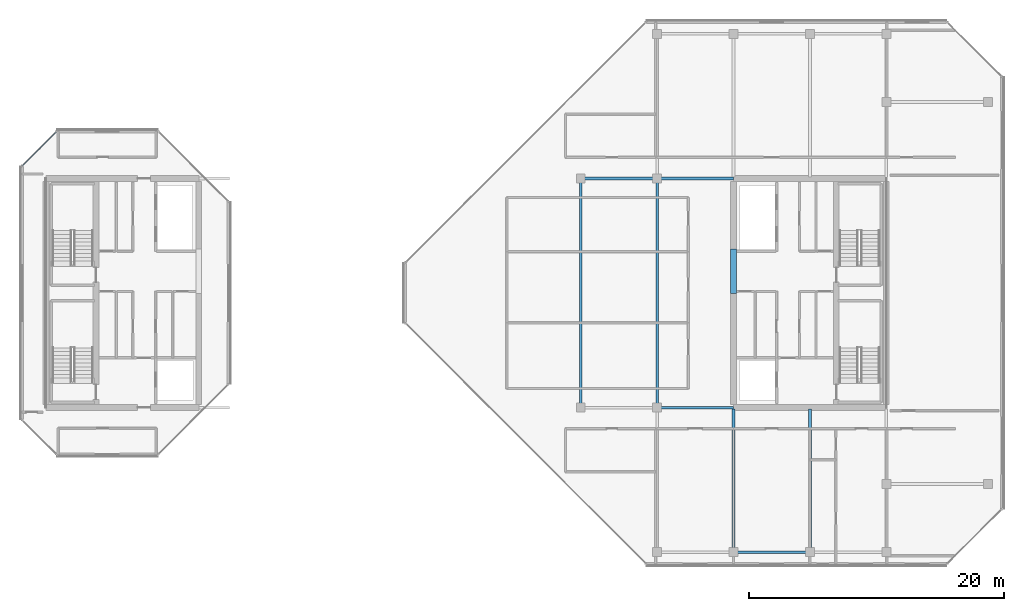
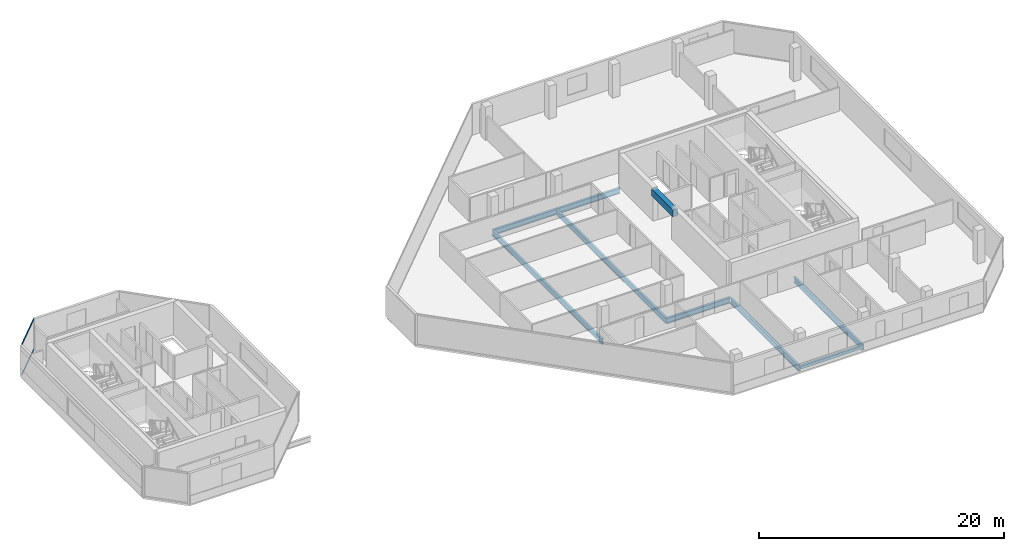
# One storey, part 11 of 29: 9 beams, 2 members, 1 element without a shape of its own.
"""IFC4 building model written with IfcOpenShell, lengths in metres."""

import ifcopenshell
import ifcopenshell.guid

model = None  # the IFC model being written
_history = None  # IfcOwnerHistory: only IFC2X3 demands one
_inside = {}  # id of a spatial element -> (the spatial element, [elements in it])
_under = {}  # id of a project, library or spatial element -> (it, [spatial elements below it])
_declared = {}  # id of a project -> (the project, [libraries it declares])
_typed = {}  # id of a type object -> (the type object, [elements of that type])
_made_of = {}  # id of a material, layer set ... -> (it, [elements and type objects made of it])


def new_model(schema):
    """Start an empty IFC model of exactly this schema.

    Asked for "IFC4X3", IfcOpenShell would pick the latest addendum, in which some entities
    have other attributes; the version numbers below select the first issue.
    IFC2X3 requires an IfcOwnerHistory on every rooted entity: one is made here for all.
    """
    global model, _history
    if schema == "IFC4X3":
        model = ifcopenshell.file(schema_version=(4, 3, 0, 0))
    else:
        model = ifcopenshell.file(schema=schema)
    _inside.clear()
    _under.clear()
    _declared.clear()
    _typed.clear()
    _made_of.clear()
    _history = None
    if model.schema == "IFC2X3":
        org = make("IfcOrganization", Name="unknown")
        user = make(
            "IfcPersonAndOrganization",
            ThePerson=make("IfcPerson", FamilyName="unknown"),
            TheOrganization=org,
        )
        app = make(
            "IfcApplication",
            ApplicationDeveloper=org,
            Version="unknown",
            ApplicationFullName="unknown",
            ApplicationIdentifier="unknown",
        )
        _history = make(
            "IfcOwnerHistory",
            OwningUser=user,
            OwningApplication=app,
            ChangeAction="ADDED",
            CreationDate=0,
        )
    return model


def make(cls, **values):
    """One entity of the class cls with the attributes given. An attribute that is None is left unset."""
    return model.create_entity(
        cls, **{name: value for name, value in values.items() if value is not None}
    )


def rooted(cls, **values):
    """An entity with a GlobalId (a new one), such as an element, a storey or a relation."""
    return make(cls, GlobalId=ifcopenshell.guid.new(), OwnerHistory=_history, **values)


def si_unit(unit_type, name, prefix=None):
    """IfcSIUnit, for example si_unit("LENGTHUNIT", "METRE", prefix="MILLI")."""
    return make("IfcSIUnit", UnitType=unit_type, Prefix=prefix, Name=name)


def assignment(units):
    """IfcUnitAssignment: the units of a project."""
    return None if units is None else make("IfcUnitAssignment", Units=units)


def point(xyz):
    """IfcCartesianPoint."""
    return None if xyz is None else make("IfcCartesianPoint", Coordinates=xyz)


def direction(xyz):
    """IfcDirection."""
    return None if xyz is None else make("IfcDirection", DirectionRatios=xyz)


def frame(location, z_axis=None, x_axis=None):
    """IfcAxis2Placement3D, a coordinate frame: its origin and axes. An axis left out is left unset."""
    return make(
        "IfcAxis2Placement3D",
        Location=point(location),
        Axis=direction(z_axis),
        RefDirection=direction(x_axis),
    )


def frame_2d(location, x_axis=None):
    """IfcAxis2Placement2D, a coordinate frame in the plane: its origin and x axis."""
    return make(
        "IfcAxis2Placement2D", Location=point(location), RefDirection=direction(x_axis)
    )


def origin():
    """The frame at (0, 0, 0) with its axes left unset."""
    return frame((0.0, 0.0, 0.0))


def origin_2d():
    """The frame at (0, 0) in the plane with its x axis left unset."""
    return frame_2d((0.0, 0.0))


def place(relative_to, where):
    """IfcLocalPlacement: puts the frame where relative to a parent placement (None: the world)."""
    return make(
        "IfcLocalPlacement", PlacementRelTo=relative_to, RelativePlacement=where
    )


def context(
    kind, dimensions, precision=None, world=None, true_north=None, identifier=None
):
    """IfcGeometricRepresentationContext, for example the 3D "Model" context."""
    return make(
        "IfcGeometricRepresentationContext",
        ContextIdentifier=identifier,
        ContextType=kind,
        CoordinateSpaceDimension=dimensions,
        Precision=precision,
        WorldCoordinateSystem=world,
        TrueNorth=true_north,
    )


def subcontext(parent, identifier, kind, view, scale=None):
    """IfcGeometricRepresentationSubContext, for example "Body" below "Model"."""
    return make(
        "IfcGeometricRepresentationSubContext",
        ContextIdentifier=identifier,
        ContextType=kind,
        ParentContext=parent,
        TargetScale=scale,
        TargetView=view,
    )


def project(units=None, contexts=None):
    """IfcProject with its units and contexts."""
    return rooted(
        "IfcProject",
        Name="project",
        RepresentationContexts=contexts,
        UnitsInContext=assignment(units),
    )


def spatial(cls, under=None, at=None, **own):
    """A site, building, storey or space (cls), placed at a placement, below another one or the project."""
    s = rooted(cls, ObjectPlacement=at, **own)
    if under is not None:
        _under.setdefault(under.id(), (under, []))[1].append(s)
    return s


def profile(cls, at=None, kind="AREA", **sizes):
    """A parametric profile (cls). Its sizes go by their IFC names, for example OverallWidth=200.0."""
    return make(cls, ProfileType=kind, Position=at, **sizes)


def rectangle(**sizes):
    """IfcRectangleProfileDef."""
    return profile("IfcRectangleProfileDef", **sizes)


def hollow_rectangle(**sizes):
    """IfcRectangleHollowProfileDef."""
    return profile("IfcRectangleHollowProfileDef", **sizes)


def i_section(**sizes):
    """IfcIShapeProfileDef."""
    return profile("IfcIShapeProfileDef", **sizes)


def extrude(swept, where, along, depth):
    """IfcExtrudedAreaSolid: the profile swept, set in the frame where, extruded along a direction by depth."""
    return make(
        "IfcExtrudedAreaSolid",
        SweptArea=swept,
        Position=where,
        ExtrudedDirection=direction(along),
        Depth=depth,
    )


def shape(context_of_items, identifier, shape_type, items):
    """IfcShapeRepresentation: the items that make up one representation, for example the "Body"."""
    return make(
        "IfcShapeRepresentation",
        ContextOfItems=context_of_items,
        RepresentationIdentifier=identifier,
        RepresentationType=shape_type,
        Items=items,
    )


def material(Name=None, Category=None):
    """IfcMaterial."""
    return make("IfcMaterial", Name=Name, Category=Category)


def layer(
    of_material, thickness, ventilated=None, Name=None, Category=None, Priority=None
):
    """IfcMaterialLayer: one layer of a wall or slab, of a material (None: an air gap)."""
    return make(
        "IfcMaterialLayer",
        Material=of_material,
        LayerThickness=thickness,
        IsVentilated=ventilated,
        Name=Name,
        Category=Category,
        Priority=Priority,
    )


def layer_set(layers, Name=None):
    """IfcMaterialLayerSet."""
    return make("IfcMaterialLayerSet", MaterialLayers=layers, LayerSetName=Name)


def material_profile(
    of_material, cross_section, Name=None, Category=None, Priority=None
):
    """IfcMaterialProfile: a cross section and its material."""
    return make(
        "IfcMaterialProfile",
        Name=Name,
        Material=of_material,
        Profile=cross_section,
        Priority=Priority,
        Category=Category,
    )


def profile_set(profiles, Name=None, composite=None):
    """IfcMaterialProfileSet."""
    return make(
        "IfcMaterialProfileSet",
        Name=Name,
        MaterialProfiles=profiles,
        CompositeProfile=composite,
    )


def made_of(thing, what):
    """Note that an element or type object is made of a material, layer set ...; save() writes the relation."""
    if what is not None:
        _made_of.setdefault(what.id(), (what, []))[1].append(thing)
    return thing


def type_object(cls, material=None, **own):
    """A type object (cls), such as IfcWallType, which elements share."""
    return made_of(rooted(cls, **own), material)


def element(
    cls,
    number,
    at=None,
    inside=None,
    cuts=None,
    type_object=None,
    material=None,
    context=None,
    identifier="Body",
    shape_type=None,
    held_by="IfcProductDefinitionShape",
    body=None,
    shapes=None,
    **own,
):
    """One element of the class cls, such as IfcWall. Its Tag is "e" and its number.

    at: its placement. inside: the storey or other place that contains it. cuts: it is an
    opening in that element (IfcRelVoidsElement). A single representation is given by context,
    identifier, shape_type and body (its items); several are given by shapes. held_by: the class
    of the entity that holds the representations. save() writes the other relations.
    """
    e = rooted(cls, Tag="e%d" % number, ObjectPlacement=at, **own)
    if body is not None:
        shapes = [shape(context, identifier, shape_type, body)]
    if shapes is not None:
        e.Representation = make(held_by, Representations=shapes)
    if inside is not None:
        _inside.setdefault(inside.id(), (inside, []))[1].append(e)
    if cuts is not None:
        rooted(
            "IfcRelVoidsElement", RelatingBuildingElement=cuts, RelatedOpeningElement=e
        )
    if type_object is not None:
        _typed.setdefault(type_object.id(), (type_object, []))[1].append(e)
    return made_of(e, material)


def aggregate(whole, parts):
    """IfcRelAggregates: a whole, such as a stair, and the parts it consists of."""
    return rooted("IfcRelAggregates", RelatingObject=whole, RelatedObjects=parts)


def save(model, path):
    """Write the relations noted so far, then the file.

    IfcRelAggregates (storeys below a building ...), IfcRelContainedInSpatialStructure (elements
    in a storey), IfcRelDefinesByType, IfcRelAssociatesMaterial and IfcRelDeclares: one each for
    every whole, place, type object, material and project.
    """
    for whole, parts in _under.values():
        aggregate(whole, parts)
    for where, things in _inside.values():
        rooted(
            "IfcRelContainedInSpatialStructure",
            RelatedElements=things,
            RelatingStructure=where,
        )
    for kind, things in _typed.values():
        rooted("IfcRelDefinesByType", RelatedObjects=things, RelatingType=kind)
    for what, things in _made_of.values():
        rooted("IfcRelAssociatesMaterial", RelatedObjects=things, RelatingMaterial=what)
    for by, libraries in _declared.values():
        rooted("IfcRelDeclares", RelatingContext=by, RelatedDefinitions=libraries)
    model.write(path)


model = new_model("IFC4")

# Units and contexts
model_context = context("Model", 3, precision=1e-05, world=origin(), true_north=direction((0.0, 1.0)))
body_context = subcontext(model_context, "Body", "Model", "MODEL_VIEW")
ifc_project = project(units=[si_unit("LENGTHUNIT", "METRE"), si_unit("AREAUNIT", "SQUARE_METRE"), si_unit("VOLUMEUNIT", "CUBIC_METRE"), si_unit("PLANEANGLEUNIT", "RADIAN"), si_unit("MASSUNIT", "GRAM", prefix="KILO")], contexts=[model_context])

# Site, building, storey
site_placement = place(None, origin())
site = spatial("IfcSite", under=ifc_project, at=site_placement, CompositionType="ELEMENT")
building_placement = place(site_placement, origin())
building = spatial("IfcBuilding", under=site, at=building_placement, Name="Tanjung Sevakor Pilgrim Tower", CompositionType="ELEMENT")
storey_placement = place(building_placement, frame((0.0, 0.0, 235.949951171875)))
storey = spatial("IfcBuildingStorey", under=building, at=storey_placement, Name="L66", CompositionType="ELEMENT", Elevation=235.949951171875)

# Beams
ifc_material_1 = material(Name="Steel S355J2", Category="steel")
ifc_material_profile_1 = material_profile(ifc_material_1, i_section(OverallWidth=0.2119140625, OverallDepth=0.54443359375, WebThickness=0.0126953125, FlangeThickness=0.021240234375, FilletRadius=0.0126953125, at=origin_2d()))
ifc_profile_set_1 = profile_set([ifc_material_profile_1], Name="Steel S355J2")
beam_type_1 = type_object("IfcBeamType", Name="BM-B-G5-UB_533x210x122", PredefinedType="BEAM", material=ifc_profile_set_1)
for number, where, z_axis, x_axis, name in (
    (1, (72.0, 24.60009765625, -0.4921875), (1.0, 0.0, 0.0), (0.0, 1.0, 0.0), "L66 Primary Floor Girder EAST Y246-02"),
    (2, (66.0, 42.60009765625, -0.4921875), (1.0, 0.0, 0.0), (0.0, 1.0, 0.0), "L66 Primary Floor Girder EAST Y426-01"),
    (3, (72.0, 42.60009765625, -0.4921875), (1.0, 0.0, 0.0), (0.0, 1.0, 0.0), "L66 Primary Floor Girder EAST Y426-02"),
):
    element("IfcBeam", number, at=place(storey_placement, frame(where, z_axis=z_axis, x_axis=x_axis)), inside=storey, type_object=beam_type_1, Name=name, PredefinedType="BEAM", context=body_context, shape_type="SweptSolid", body=[
        extrude(i_section(OverallWidth=0.2119140625, OverallDepth=0.54443359375, WebThickness=0.0126953125, FlangeThickness=0.021240234375, FilletRadius=0.0126953125, at=origin_2d()), origin(), (0.0, 0.0, 1.0), 6.0),
    ])
ifc_material_2 = material(Name="Steel S355J2", Category="steel")
ifc_material_profile_2 = material_profile(ifc_material_2, i_section(OverallWidth=0.210693359375, OverallDepth=0.53955078125, WebThickness=0.01171875, FlangeThickness=0.018798828125, FilletRadius=0.0126953125, at=origin_2d()))
ifc_profile_set_2 = profile_set([ifc_material_profile_2], Name="Steel S355J2")
beam_type_2 = type_object("IfcBeamType", Name="BM-B-G6-UB_533x210x109", PredefinedType="BEAM", material=ifc_profile_set_2)
for number, where, z_axis, x_axis, name in (
    (4, (66.0, 24.60009765625, -0.48974609375), (0.0, 1.0, 0.0), (-1.0, 0.0, 0.0), "L66 EAST Girder 001"),
    (5, (72.0, 24.60009765625, -0.48974609375), (0.0, 1.0, 0.0), (-1.0, 0.0, 0.0), "L66 EAST Girder 003"),
):
    element("IfcBeam", number, at=place(storey_placement, frame(where, z_axis=z_axis, x_axis=x_axis)), inside=storey, type_object=beam_type_2, Name=name, PredefinedType="BEAM", context=body_context, shape_type="SweptSolid", body=[
        extrude(i_section(OverallWidth=0.210693359375, OverallDepth=0.53955078125, WebThickness=0.01171875, FlangeThickness=0.018798828125, FilletRadius=0.0126953125, at=origin_2d()), origin(), (0.0, 0.0, 1.0), 18.0),
    ])
for number, where, z_axis, x_axis, name in (
    (6, (78.0, 13.25, -0.48974609375), (0.0, 1.0, 0.0), (-1.0, 0.0, 0.0), "L66 EAST Girder 005"),
    (7, (84.0, 13.25, -0.48974609375), (0.0, 1.0, 0.0), (-1.0, 0.0, 0.0), "L66 EAST Girder 007"),
):
    element("IfcBeam", number, at=place(storey_placement, frame(where, z_axis=z_axis, x_axis=x_axis)), inside=storey, type_object=beam_type_2, Name=name, PredefinedType="BEAM", context=body_context, shape_type="SweptSolid", body=[
        extrude(i_section(OverallWidth=0.210693359375, OverallDepth=0.53955078125, WebThickness=0.01171875, FlangeThickness=0.018798828125, FilletRadius=0.0126953125, at=origin_2d()), origin(), (0.0, 0.0, 1.0), 11.243896484375),
    ])
ifc_material_3 = material(Name="Concrete C60/75", Category="concrete")
ifc_material_profile_3 = material_profile(ifc_material_3, rectangle(XDim=0.449951171875, YDim=0.699951171875, at=origin_2d()))
ifc_profile_set_3 = profile_set([ifc_material_profile_3], Name="Concrete C60/75")
beam_type_3 = type_object("IfcBeamType", Name="BM-B-LN3-RC-BM_450x700", PredefinedType="LINTEL", material=ifc_profile_set_3)
beam_1_placement = place(storey_placement, frame((78.0, 33.550048828125, 2.72998046875), z_axis=(0.0, 1.0, 0.0), x_axis=(-1.0, 0.0, 0.0)))
element("IfcBeam", 8, at=beam_1_placement, inside=storey, type_object=beam_type_3, Name="L66 E Core Coupling Lintel", PredefinedType="LINTEL", context=body_context, shape_type="SweptSolid", body=[
    extrude(rectangle(XDim=0.449951171875, YDim=0.699951171875, at=origin_2d()), origin(), (0.0, 0.0, 1.0), 3.5),
])
ifc_material_4 = material(Name="Steel S355J2", Category="steel")
ifc_material_profile_4 = material_profile(ifc_material_4, hollow_rectangle(XDim=0.199951171875, YDim=0.300048828125, WallThickness=0.012451171875, at=origin_2d()))
ifc_profile_set_4 = profile_set([ifc_material_profile_4], Name="Steel S355J2")
beam_type_4 = type_object("IfcBeamType", Name="BM-B-SP3-RHS_300x200x12.5", PredefinedType="SPANDREL", material=ifc_profile_set_4)
beam_2_placement = place(storey_placement, frame((78.0, 13.25, -0.369873046875), z_axis=(1.0, 0.0, 0.0), x_axis=(0.0, 1.0, 0.0)))
element("IfcBeam", 9, at=beam_2_placement, inside=storey, type_object=beam_type_4, Name="L66 Spandrel EAST S-03", PredefinedType="SPANDREL", context=body_context, shape_type="SweptSolid", body=[
    extrude(hollow_rectangle(XDim=0.199951171875, YDim=0.300048828125, WallThickness=0.012451171875, at=origin_2d()), origin(), (0.0, 0.0, 1.0), 6.0),
])

# Curtain wall, members
ifc_material_5 = material(Name="Aluminium 6063-T6 and Low-E Glass", Category="aluminium")
ifc_layer = layer(ifc_material_5, 0.179931640625)
ifc_layer_set = layer_set([ifc_layer], Name="CW-SYS-CHAM")
curtain_wall_type = type_object("IfcCurtainWallType", Name="CW-SYS-CHAM", PredefinedType="NOTDEFINED", material=ifc_layer_set)
curtain_wall_placement = place(storey_placement, origin())
curtain_wall = element("IfcCurtainWall", 10, at=curtain_wall_placement, inside=storey, type_object=curtain_wall_type, Name="L66 Curtain Wall CW-CHM-L66-WEST-5", PredefinedType="NOTDEFINED")
ifc_material_6 = material(Name="Aluminium 6063-T6", Category="aluminium")
ifc_material_profile_5 = material_profile(ifc_material_6, hollow_rectangle(XDim=0.06494140625, YDim=0.139892578125, WallThickness=0.00390625, at=origin_2d()))
ifc_profile_set_5 = profile_set([ifc_material_profile_5], Name="Aluminium 6063-T6")
member_type = type_object("IfcMemberType", Name="TYPE-CWT-1", PredefinedType="USERDEFINED", material=ifc_profile_set_5)
member_1_placement = place(storey_placement, frame((24.799560546875, 46.244140625, 0.032470703125), z_axis=(-0.707074130168, -0.707139430697, 0.0), x_axis=(0.707139430697, -0.707074130168, 0.0)))
member_1 = element("IfcMember", 11, at=member_1_placement, type_object=member_type, Name="CW-CHM transom 1.1", ObjectType="TRANSOM", PredefinedType="USERDEFINED", context=body_context, shape_type="SweptSolid", body=[
    extrude(hollow_rectangle(XDim=0.06494140625, YDim=0.139892578125, WallThickness=0.00390625, at=origin_2d()), origin(), (0.0, 0.0, 1.0), 3.73876953125),
])
member_2_placement = place(storey_placement, frame((24.799560546875, 46.244140625, 3.047607421875), z_axis=(-0.707074130168, -0.707139430697, 0.0), x_axis=(0.707139430697, -0.707074130168, 0.0)))
member_2 = element("IfcMember", 12, at=member_2_placement, type_object=member_type, Name="CW-CHM transom 1.2", ObjectType="TRANSOM", PredefinedType="USERDEFINED", context=body_context, shape_type="SweptSolid", body=[
    extrude(hollow_rectangle(XDim=0.06494140625, YDim=0.139892578125, WallThickness=0.00390625, at=origin_2d()), origin(), (0.0, 0.0, 1.0), 3.73876953125),
])
aggregate(curtain_wall, [member_1, member_2])

save(model, "model.ifc")
